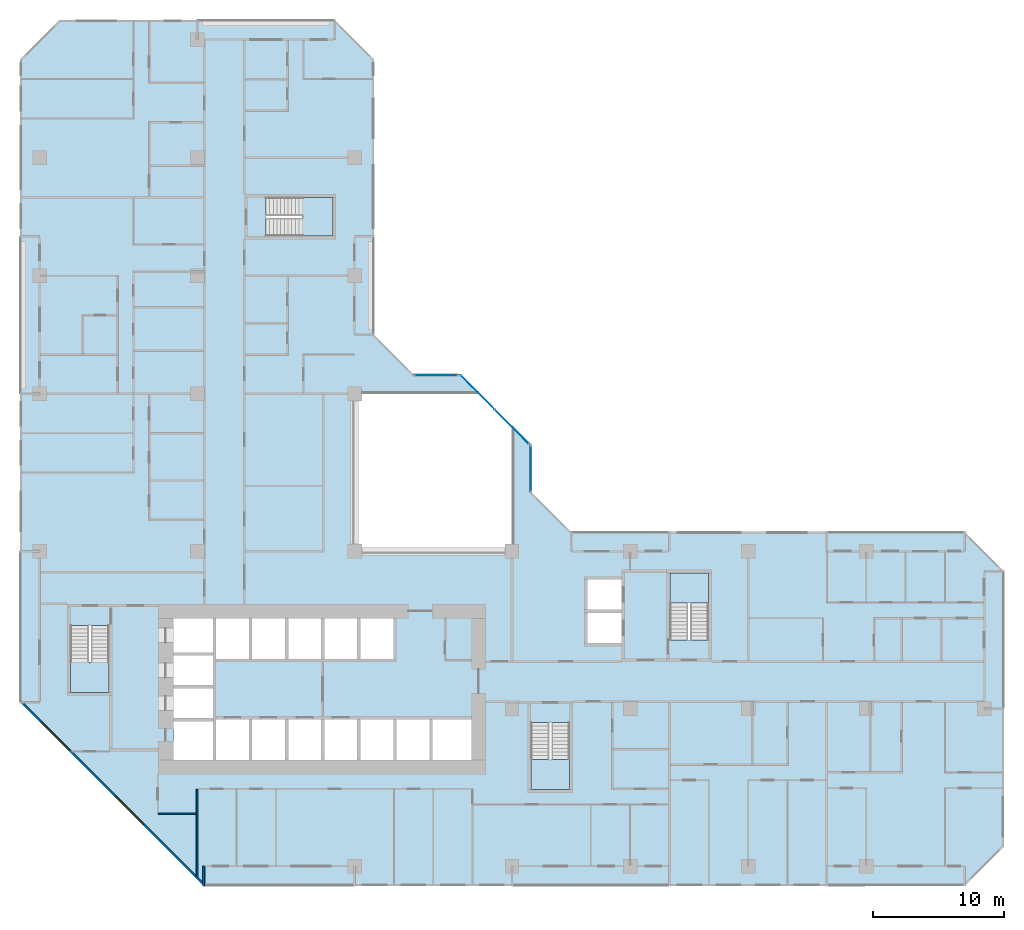
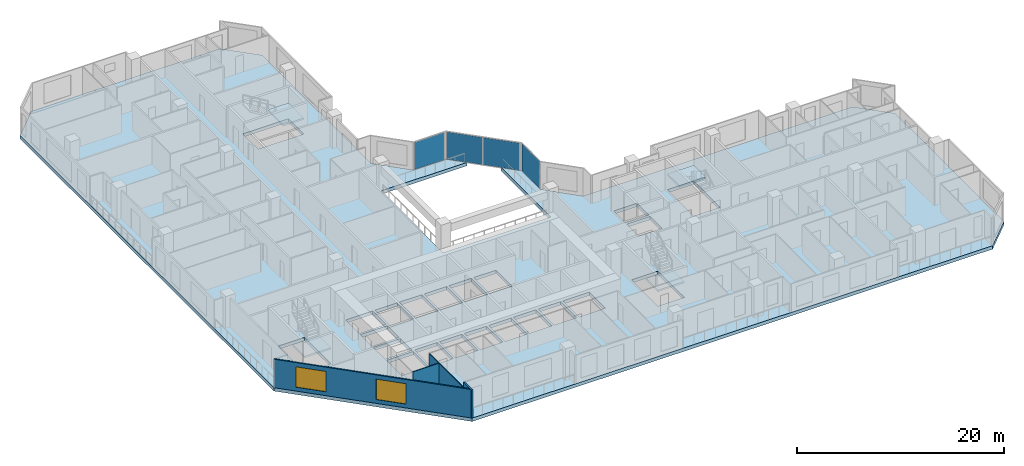
# One storey, part 3 of 15: 5 slabs, 4 plates, 4 walls, 2 windows, 2 openings, 7 elements without a shape of their own.
"""IFC4 building model written with IfcOpenShell, lengths in metres."""

from ifc_helpers import new_model, si_unit, direction, frame, frame_2d, origin, origin_2d, place, context, subcontext, project, spatial, polyline, rectangle, outline, extrude, material, layer, layer_set, type_object, element, fill, aggregate, save


model = new_model("IFC4")

# Units and contexts
model_context = context("Model", 3, precision=1e-05, world=origin(), true_north=direction((0.0, 1.0)))
body_context = subcontext(model_context, "Body", "Model", "MODEL_VIEW")
ifc_project = project(units=[si_unit("LENGTHUNIT", "METRE"), si_unit("AREAUNIT", "SQUARE_METRE"), si_unit("VOLUMEUNIT", "CUBIC_METRE"), si_unit("PLANEANGLEUNIT", "RADIAN"), si_unit("MASSUNIT", "GRAM", prefix="KILO")], contexts=[model_context])

# Site, building, storey
site_placement = place(None, origin())
site = spatial("IfcSite", under=ifc_project, at=site_placement, CompositionType="ELEMENT")
building_placement = place(site_placement, origin())
building = spatial("IfcBuilding", under=site, at=building_placement, Name="Chenar Terraces", CompositionType="ELEMENT")
storey_placement = place(building_placement, frame((0.0, 0.0, 45.14990234375)))
storey = spatial("IfcBuildingStorey", under=building, at=storey_placement, Name="L08", CompositionType="ELEMENT", Elevation=45.14990234375)

# Curtain wall, plate
ifc_material_1 = material(Name="Aluminium framed glazing", Category="aluminium")
ifc_layer_1 = layer(ifc_material_1, 0.14990234375)
ifc_layer_set_1 = layer_set([ifc_layer_1], Name="Aluminium framed glazing")
curtain_wall_type = type_object("IfcCurtainWallType", Name="Atrium curtain wall", PredefinedType="NOTDEFINED", material=ifc_layer_set_1)
placement_1 = place(storey_placement, origin())
curtain_wall_1 = element("IfcCurtainWall", 1, at=placement_1, inside=storey, type_object=curtain_wall_type, Name="Atrium curtain wall", PredefinedType="NOTDEFINED")
ifc_material_2 = material(Name="Low emissivity laminated glass, solar control coating", Category="glass")
ifc_layer_2 = layer(ifc_material_2, 0.028076171875)
ifc_layer_set_2 = layer_set([ifc_layer_2], Name="Low emissivity laminated glass, solar control coating")
plate_type = type_object("IfcPlateType", Name="Atrium glazing panel 28", PredefinedType="CURTAIN_PANEL", material=ifc_layer_set_2)
plate_1_placement = place(storey_placement, frame((37.425048828125, 30.300048828125, 0.06005859375), z_axis=(0.0, 0.0, 1.0), x_axis=(0.0, 1.0, 0.0)))
plate_1 = element("IfcPlate", 2, at=plate_1_placement, type_object=plate_type, Name="CW1-1 panel 1.1", PredefinedType="CURTAIN_PANEL", context=body_context, shape_type="SweptSolid", body=[
    extrude(rectangle(XDim=3.47998046875, YDim=0.028076171875, at=origin_2d()), origin(), (0.0, 0.0, 1.0), 3.22998046875),
])
aggregate(curtain_wall_1, [plate_1])

# Curtain wall, plates
curtain_wall_2 = element("IfcCurtainWall", 3, at=placement_1, inside=storey, type_object=curtain_wall_type, Name="Atrium curtain wall", PredefinedType="NOTDEFINED")
plate_2_placement = place(storey_placement, frame((35.980224609375, 33.513671875, 0.06005859375), z_axis=(0.0, 0.0, 1.0), x_axis=(-0.707106781187, 0.707106781187, 0.0)))
plate_2 = element("IfcPlate", 4, at=plate_2_placement, type_object=plate_type, Name="CW1-2 panel 1.1", PredefinedType="CURTAIN_PANEL", context=body_context, shape_type="SweptSolid", body=[
    extrude(rectangle(XDim=3.62841796875, YDim=0.028076171875, at=origin_2d()), origin(), (0.0, 0.0, 1.0), 3.22998046875),
])
plate_3_placement = place(storey_placement, frame((33.3720703125, 36.121826171875, 0.06005859375), z_axis=(0.0, 0.0, 1.0), x_axis=(-0.707106781187, 0.707106781187, 0.0)))
plate_3 = element("IfcPlate", 5, at=plate_3_placement, type_object=plate_type, Name="CW1-2 panel 2.1", PredefinedType="CURTAIN_PANEL", context=body_context, shape_type="SweptSolid", body=[
    extrude(rectangle(XDim=3.62841796875, YDim=0.028076171875, at=origin_2d()), origin(), (0.0, 0.0, 1.0), 3.22998046875),
])
aggregate(curtain_wall_2, [plate_2, plate_3])

# Curtain wall, plate
curtain_wall_3 = element("IfcCurtainWall", 6, at=placement_1, inside=storey, type_object=curtain_wall_type, Name="Atrium curtain wall", PredefinedType="NOTDEFINED")
plate_4_placement = place(storey_placement, frame((30.199951171875, 37.425048828125, 0.06005859375), z_axis=(0.0, 0.0, 1.0), x_axis=(-1.0, 0.0, 0.0)))
plate_4 = element("IfcPlate", 7, at=plate_4_placement, type_object=plate_type, Name="CW1-3 panel 1.1", PredefinedType="CURTAIN_PANEL", context=body_context, shape_type="SweptSolid", body=[
    extrude(rectangle(XDim=3.280029296875, YDim=0.028076171875, at=origin_2d()), origin(), (0.0, 0.0, 1.0), 3.22998046875),
])
aggregate(curtain_wall_3, [plate_4])

# Stair, slab
ifc_material_3 = material(Name="Reinforced concrete C40/50", Category="concrete")
stair_type = type_object("IfcStairType", Name="Core stair 1400 half-turn", PredefinedType="HALF_TURN_STAIR", material=ifc_material_3)
stair_1 = element("IfcStair", 8, at=placement_1, inside=storey, type_object=stair_type, Name="L08 Stair 1", PredefinedType="HALF_TURN_STAIR")
ifc_material_4 = material(Name="Reinforced concrete C40/50", Category="concrete")
ifc_layer_3 = layer(ifc_material_4, 0.199951171875)
ifc_layer_set_3 = layer_set([ifc_layer_3], Name="Reinforced concrete C40/50")
slab_type_1 = type_object("IfcSlabType", Name="Core stair landing 200", PredefinedType="LANDING", material=ifc_layer_set_3)
placement_2 = place(storey_placement, frame((0.0, 0.0, 1.675048828125)))
slab_1 = element("IfcSlab", 9, at=placement_2, type_object=slab_type_1, Name="ST1 landing 1", PredefinedType="LANDING", context=body_context, shape_type="SweptSolid", body=[
    extrude(outline(polyline([(2.35009765625, 15.550048828125), (2.35009765625, 13.25), (5.300048828125, 13.25), (5.300048828125, 15.550048828125), (2.35009765625, 15.550048828125)])), origin(), (0.0, 0.0, 1.0), 0.199951171875),
])
aggregate(stair_1, [slab_1])

stair_2 = element("IfcStair", 10, at=placement_1, inside=storey, type_object=stair_type, Name="L08 Stair 2", PredefinedType="HALF_TURN_STAIR")
slab_2 = element("IfcSlab", 11, at=placement_2, type_object=slab_type_1, Name="ST2 landing 1", PredefinedType="LANDING", context=body_context, shape_type="SweptSolid", body=[
    extrude(outline(polyline([(37.449951171875, 8.14990234375), (37.449951171875, 5.85009765625), (40.39990234375, 5.85009765625), (40.39990234375, 8.14990234375), (37.449951171875, 8.14990234375)])), origin(), (0.0, 0.0, 1.0), 0.199951171875),
])
aggregate(stair_2, [slab_2])

stair_3 = element("IfcStair", 12, at=placement_1, inside=storey, type_object=stair_type, Name="L08 Stair 3", PredefinedType="HALF_TURN_STAIR")
slab_3 = element("IfcSlab", 13, at=placement_2, type_object=slab_type_1, Name="ST3 landing 1", PredefinedType="LANDING", context=body_context, shape_type="SweptSolid", body=[
    extrude(outline(polyline([(50.97509765625, 20.050048828125), (50.97509765625, 22.35009765625), (48.02490234375, 22.35009765625), (48.02490234375, 20.050048828125), (50.97509765625, 20.050048828125)])), origin(), (0.0, 0.0, 1.0), 0.199951171875),
])
aggregate(stair_3, [slab_3])

stair_4 = element("IfcStair", 14, at=placement_1, inside=storey, type_object=stair_type, Name="L08 Stair 4", PredefinedType="HALF_TURN_STAIR")
slab_4 = element("IfcSlab", 15, at=placement_2, type_object=slab_type_1, Name="ST4 landing 1", PredefinedType="LANDING", context=body_context, shape_type="SweptSolid", body=[
    extrude(outline(polyline([(20.050048828125, 48.02490234375), (22.35009765625, 48.02490234375), (22.35009765625, 50.97509765625), (20.050048828125, 50.97509765625), (20.050048828125, 48.02490234375)])), origin(), (0.0, 0.0, 1.0), 0.199951171875),
])
aggregate(stair_4, [slab_4])

# Slab
ifc_material_5 = material(Name="Concrete C40/50", Category="concrete")
ifc_layer_4 = layer(ifc_material_5, 0.39990234375)
ifc_layer_set_4 = layer_set([ifc_layer_4], Name="Concrete C40/50")
slab_type_2 = type_object("IfcSlabType", Name="Floor slab 400 Concrete C40/50", PredefinedType="FLOOR", material=ifc_layer_set_4)
slab_5_placement = place(storey_placement, frame((0.0, 0.0, -0.39990234375)))
element("IfcSlab", 16, at=slab_5_placement, inside=storey, type_object=slab_type_2, Name="Floor slab L08", PredefinedType="FLOOR", context=body_context, shape_type="SweptSolid", body=[
    extrude(outline(polyline([(73.5, 22.5), (73.5, 1.5), (70.5, -1.5), (12.5, -1.5), (-1.5, 12.5), (-1.5, 61.5), (1.5, 64.5), (22.5, 64.5), (25.5, 61.5), (25.5, 40.5), (28.5, 37.5), (32.10009765625, 37.5), (33.60009765625, 36.0), (24.0, 36.0), (24.0, 24.0), (36.0, 24.0), (36.0, 33.60009765625), (37.5, 32.10009765625), (37.5, 28.5), (40.5, 25.5), (70.5, 25.5), (73.5, 22.5)]), holes=[polyline([(13.199951171875, 11.050048828125), (10.199951171875, 11.050048828125), (10.199951171875, 8.10009765625), (13.199951171875, 8.10009765625), (13.199951171875, 11.050048828125)]), polyline([(15.949951171875, 11.199951171875), (13.449951171875, 11.199951171875), (13.449951171875, 8.10009765625), (15.949951171875, 8.10009765625), (15.949951171875, 11.199951171875)]), polyline([(18.699951171875, 11.199951171875), (16.199951171875, 11.199951171875), (16.199951171875, 8.10009765625), (18.699951171875, 8.10009765625), (18.699951171875, 11.199951171875)]), polyline([(21.449951171875, 8.10009765625), (21.449951171875, 11.199951171875), (18.949951171875, 11.199951171875), (18.949951171875, 8.10009765625), (21.449951171875, 8.10009765625)]), polyline([(13.199951171875, 11.300048828125), (13.199951171875, 13.550048828125), (10.199951171875, 13.550048828125), (10.199951171875, 11.300048828125), (13.199951171875, 11.300048828125)]), polyline([(13.199951171875, 16.050048828125), (10.199951171875, 16.050048828125), (10.199951171875, 13.800048828125), (13.199951171875, 13.800048828125), (13.199951171875, 16.050048828125)]), polyline([(2.35009765625, 18.35009765625), (2.35009765625, 13.25), (5.300048828125, 13.25), (5.300048828125, 18.35009765625), (2.35009765625, 18.35009765625)]), polyline([(15.949951171875, 15.800048828125), (15.949951171875, 18.89990234375), (13.449951171875, 18.89990234375), (13.449951171875, 15.800048828125), (15.949951171875, 15.800048828125)]), polyline([(18.699951171875, 18.89990234375), (16.199951171875, 18.89990234375), (16.199951171875, 15.800048828125), (18.699951171875, 15.800048828125), (18.699951171875, 18.89990234375)]), polyline([(21.449951171875, 15.800048828125), (21.449951171875, 18.89990234375), (18.949951171875, 18.89990234375), (18.949951171875, 15.800048828125), (21.449951171875, 15.800048828125)]), polyline([(13.199951171875, 16.300048828125), (13.199951171875, 18.89990234375), (10.199951171875, 18.89990234375), (10.199951171875, 16.300048828125), (13.199951171875, 16.300048828125)]), polyline([(22.35009765625, 48.02490234375), (22.35009765625, 50.97509765625), (17.25, 50.97509765625), (17.25, 48.02490234375), (22.35009765625, 48.02490234375)]), polyline([(37.449951171875, 10.949951171875), (37.449951171875, 5.85009765625), (40.39990234375, 5.85009765625), (40.39990234375, 10.949951171875), (37.449951171875, 10.949951171875)]), polyline([(24.199951171875, 8.10009765625), (24.199951171875, 11.199951171875), (21.699951171875, 11.199951171875), (21.699951171875, 8.10009765625), (24.199951171875, 8.10009765625)]), polyline([(26.949951171875, 11.199951171875), (24.449951171875, 11.199951171875), (24.449951171875, 8.10009765625), (26.949951171875, 8.10009765625), (26.949951171875, 11.199951171875)]), polyline([(29.699951171875, 8.10009765625), (29.699951171875, 11.199951171875), (27.199951171875, 11.199951171875), (27.199951171875, 8.10009765625), (29.699951171875, 8.10009765625)]), polyline([(32.89990234375, 8.10009765625), (32.89990234375, 11.199951171875), (29.949951171875, 11.199951171875), (29.949951171875, 8.10009765625), (32.89990234375, 8.10009765625)]), polyline([(24.199951171875, 18.89990234375), (21.699951171875, 18.89990234375), (21.699951171875, 15.800048828125), (24.199951171875, 15.800048828125), (24.199951171875, 18.89990234375)]), polyline([(26.949951171875, 15.800048828125), (26.949951171875, 18.89990234375), (24.449951171875, 18.89990234375), (24.449951171875, 15.800048828125), (26.949951171875, 15.800048828125)]), polyline([(44.35009765625, 17.0), (44.35009765625, 19.300048828125), (41.75, 19.300048828125), (41.75, 17.0), (44.35009765625, 17.0)]), polyline([(50.97509765625, 22.35009765625), (48.02490234375, 22.35009765625), (48.02490234375, 17.25), (50.97509765625, 17.25), (50.97509765625, 22.35009765625)]), polyline([(44.35009765625, 19.550048828125), (44.35009765625, 21.85009765625), (41.75, 21.85009765625), (41.75, 19.550048828125), (44.35009765625, 19.550048828125)])]), origin(), (0.0, 0.0, 1.0), 0.39990234375),
])

# Walls
ifc_material_6 = material(Name="Gypsum board on steel studs", Category="steel")
ifc_layer_5 = layer(ifc_material_6, 0.10009765625)
ifc_layer_set_5 = layer_set([ifc_layer_5], Name="Gypsum board on steel studs")
wall_type_1 = type_object("IfcWallType", Name="Gypsum partition 100", PredefinedType="PARTITIONING", material=ifc_layer_set_5)
wall_1_placement = place(storey_placement, frame((9.050048828125, 4.0, 0.0), z_axis=(0.0, 0.0, 1.0), x_axis=(1.0, 0.0, 0.0)))
element("IfcWall", 17, at=wall_1_placement, inside=storey, type_object=wall_type_1, Name="Partition L08-033", PredefinedType="PARTITIONING", context=body_context, shape_type="SweptSolid", body=[
    extrude(rectangle(XDim=2.89990234375, YDim=0.10009765625, at=frame_2d((1.449951171875, 0.0))), origin(), (0.0, 0.0, 1.0), 3.35009765625),
])
wall_2_placement = place(storey_placement, frame((12.0, -0.787841796875, 0.0), z_axis=(0.0, 0.0, 1.0), x_axis=(0.0, 1.0, 0.0)))
element("IfcWall", 18, at=wall_2_placement, inside=storey, type_object=wall_type_1, Name="Partition L08-035", PredefinedType="PARTITIONING", context=body_context, shape_type="SweptSolid", body=[
    extrude(rectangle(XDim=6.637939453125, YDim=0.10009765625, at=frame_2d((3.31884765625, 0.0))), origin(), (0.0, 0.0, 1.0), 3.35009765625),
])
ifc_material_7 = material(Name="Terracotta cladding on insulated backing", Category="masonry")
ifc_layer_6 = layer(ifc_material_7, 0.14990234375)
ifc_layer_set_6 = layer_set([ifc_layer_6], Name="Terracotta cladding on insulated backing")
wall_type_2 = type_object("IfcWallType", Name="Loggia return wall 150", PredefinedType="SOLIDWALL", material=ifc_layer_set_6)
wall_3_placement = place(storey_placement, frame((12.5, -1.5, 0.0), z_axis=(0.0, 0.0, 1.0), x_axis=(0.0, 1.0, 0.0)))
element("IfcWall", 19, at=wall_3_placement, inside=storey, type_object=wall_type_2, Name="Loggia return wall", PredefinedType="SOLIDWALL", context=body_context, shape_type="SweptSolid", body=[
    extrude(rectangle(XDim=1.5, YDim=0.14990234375, at=frame_2d((0.75, 0.0))), origin(), (0.0, 0.0, 1.0), 3.35009765625),
])

# Wall, openings, windows
ifc_material_8 = material(Name="Terracotta cladding on insulated backing", Category="masonry")
ifc_layer_7 = layer(ifc_material_8, 0.14990234375)
ifc_layer_set_7 = layer_set([ifc_layer_7], Name="Terracotta cladding on insulated backing")
wall_type_3 = type_object("IfcWallType", Name="Terracotta rainscreen wall 150", PredefinedType="SOLIDWALL", material=ifc_layer_set_7)
wall_4_placement = place(storey_placement, frame((-1.447021484375, 12.552978515625, 0.0), z_axis=(0.0, 0.0, 1.0), x_axis=(0.707106781187, -0.707106781187, 0.0)))
wall_4 = element("IfcWall", 20, at=wall_4_placement, inside=storey, type_object=wall_type_3, Name="Terracotta rainscreen wall", PredefinedType="SOLIDWALL", context=body_context, shape_type="SweptSolid", body=[
    extrude(rectangle(XDim=19.799072265625, YDim=0.14990234375, at=frame_2d((9.8994140625, 0.0))), origin(), (0.0, 0.0, 1.0), 3.35009765625),
])
opening_1_placement = place(wall_4_placement, frame((2.21240234375, 0.0, 0.449951171875)))
opening_1 = element("IfcOpeningElement", 21, at=opening_1_placement, cuts=wall_4, Name="Opening W300x240", PredefinedType="OPENING", context=body_context, shape_type="SweptSolid", body=[
    extrude(rectangle(XDim=3.0, YDim=2.39990234375, at=frame_2d((1.5, 1.199951171875))), frame((0.0, 0.0849609375, 0.0), z_axis=(0.0, -1.0, 0.0), x_axis=(1.0, 0.0, 0.0)), (0.0, 0.0, 1.0), 0.169921875),
])
opening_2_placement = place(wall_4_placement, frame((10.215576171875, 0.0, 0.449951171875)))
opening_2 = element("IfcOpeningElement", 22, at=opening_2_placement, cuts=wall_4, Name="Opening W300x240", PredefinedType="OPENING", context=body_context, shape_type="SweptSolid", body=[
    extrude(rectangle(XDim=3.0, YDim=2.39990234375, at=frame_2d((1.5, 1.199951171875))), frame((0.0, 0.0849609375, 0.0), z_axis=(0.0, -1.0, 0.0), x_axis=(1.0, 0.0, 0.0)), (0.0, 0.0, 1.0), 0.169921875),
])
ifc_material_9 = material(Name="Low emissivity double glazing, aluminium frame", Category="aluminium")
window_type = type_object("IfcWindowType", Name="Fixed light 3000 x 2400", PartitioningType="SINGLE_PANEL", PredefinedType="WINDOW", material=ifc_material_9)
window_1_placement = place(opening_1_placement, origin())
window_1 = element("IfcWindow", 23, at=window_1_placement, inside=storey, type_object=window_type, Name="Window", OverallHeight=2.39990234375, OverallWidth=3.0, PartitioningType="SINGLE_PANEL", PredefinedType="WINDOW", context=body_context, shape_type="SweptSolid", body=[
    extrude(rectangle(XDim=3.0, YDim=2.39990234375, at=frame_2d((1.5, 1.199951171875))), frame((0.0, 0.030029296875, 0.0), z_axis=(0.0, -1.0, 0.0), x_axis=(1.0, 0.0, 0.0)), (0.0, 0.0, 1.0), 0.06005859375),
])
fill(opening_1, window_1)
window_2_placement = place(opening_2_placement, origin())
window_2 = element("IfcWindow", 24, at=window_2_placement, inside=storey, type_object=window_type, Name="Window", OverallHeight=2.39990234375, OverallWidth=3.0, PartitioningType="SINGLE_PANEL", PredefinedType="WINDOW", context=body_context, shape_type="SweptSolid", body=[
    extrude(rectangle(XDim=3.0, YDim=2.39990234375, at=frame_2d((1.5, 1.199951171875))), frame((0.0, 0.030029296875, 0.0), z_axis=(0.0, -1.0, 0.0), x_axis=(1.0, 0.0, 0.0)), (0.0, 0.0, 1.0), 0.06005859375),
])
fill(opening_2, window_2)

save(model, "model.ifc")
